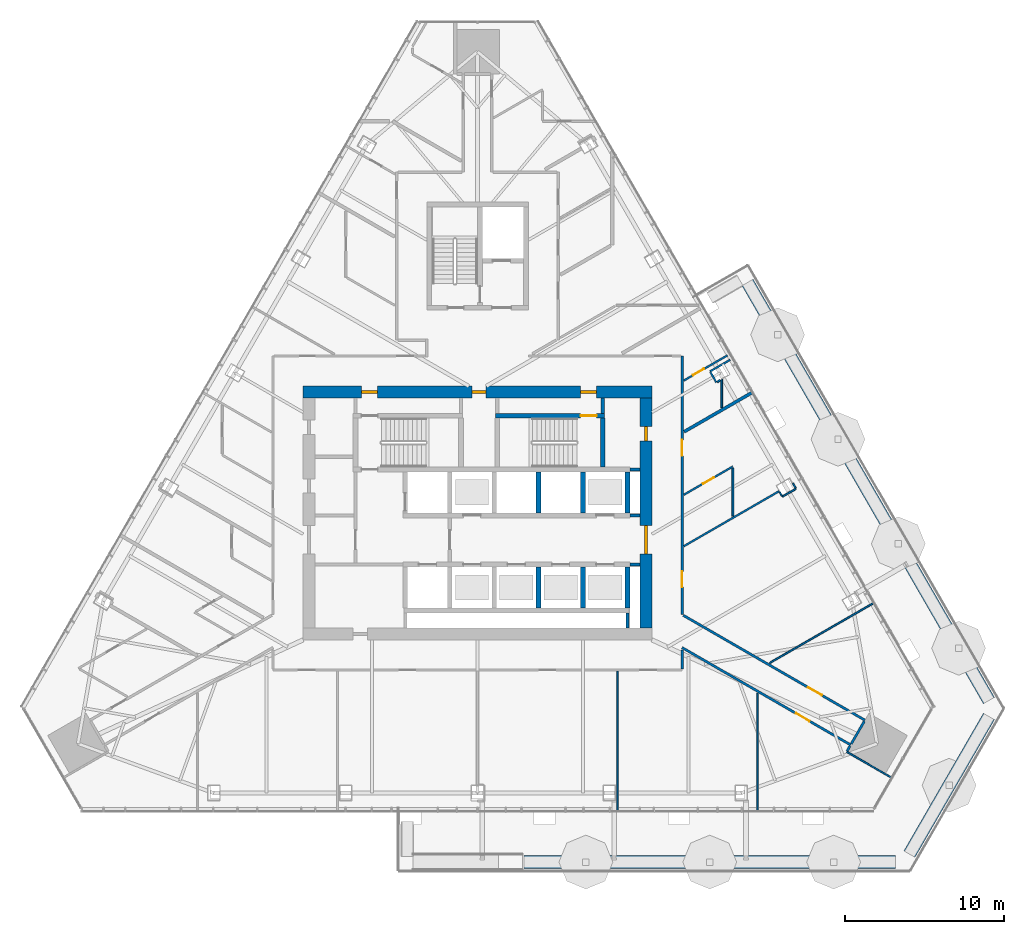
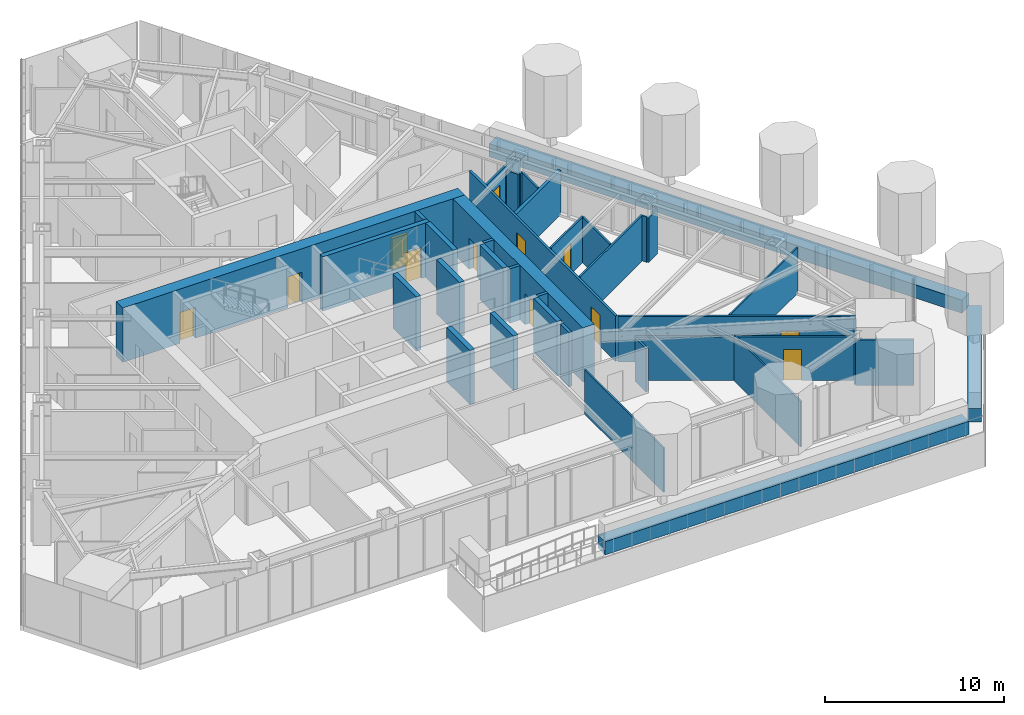
# One storey, part 13 of 18: 40 walls, 12 doors, 12 openings.
"""IFC4 building model written with IfcOpenShell, lengths in metres."""

from ifc_helpers import new_model, si_unit, direction, frame, frame_2d, origin, place, context, subcontext, project, spatial, rectangle, extrude, material, layer, layer_set, type_object, element, fill, save


model = new_model("IFC4")

# Units and contexts
model_context = context("Model", 3, precision=1e-05, world=origin(), true_north=direction((0.0, 1.0)))
body_context = subcontext(model_context, "Body", "Model", "MODEL_VIEW")
ifc_project = project(units=[si_unit("LENGTHUNIT", "METRE"), si_unit("AREAUNIT", "SQUARE_METRE"), si_unit("VOLUMEUNIT", "CUBIC_METRE"), si_unit("PLANEANGLEUNIT", "RADIAN"), si_unit("MASSUNIT", "GRAM", prefix="KILO")], contexts=[model_context])

# Site, building, storey
site_placement = place(None, origin())
site = spatial("IfcSite", under=ifc_project, at=site_placement, CompositionType="ELEMENT")
building_placement = place(site_placement, origin())
building = spatial("IfcBuilding", under=site, at=building_placement, Name="Firuza Gate Tower and Library", CompositionType="ELEMENT")
storey_placement = place(building_placement, frame((0.0, 0.0, 226.0)))
storey = spatial("IfcBuildingStorey", under=building, at=storey_placement, Name="L53", CompositionType="ELEMENT", Elevation=226.0)

# Walls
ifc_material_1 = material(Name="Plasterboard on steel studs", Category="steel")
ifc_layer_1 = layer(ifc_material_1, 0.199951171875)
ifc_layer_set_1 = layer_set([ifc_layer_1], Name="Core partition 200 EI 120")
wall_type_1 = type_object("IfcWallType", Name="Core partition 200 EI 120", PredefinedType="PARTITIONING", material=ifc_layer_set_1)
for number, where, z_axis, x_axis, name in (
    (1, (84.60009765625, 71.75, 0.0), (0.0, 0.0, 1.0), (1.0, 0.0, 0.0), "Core partition L53 2"),
    (2, (84.60009765625, 74.85009765625, 0.0), (0.0, 0.0, 1.0), (1.0, 0.0, 0.0), "Core partition L53 4"),
    (3, (84.60009765625, 77.75, 0.0), (0.0, 0.0, 1.0), (1.0, 0.0, 0.0), "Core partition L53 5"),
):
    element("IfcWall", number, at=place(storey_placement, frame(where, z_axis=z_axis, x_axis=x_axis)), inside=storey, type_object=wall_type_1, Name=name, PredefinedType="PARTITIONING", context=body_context, shape_type="SweptSolid", body=[
        extrude(rectangle(XDim=0.64990234375, YDim=0.199951171875, at=frame_2d((0.324951171875, 0.0))), origin(), (0.0, 0.0, 1.0), 3.699951171875),
    ])
wall_1_placement = place(storey_placement, frame((84.449951171875, 67.75, 0.0), z_axis=(0.0, 0.0, 1.0), x_axis=(0.0, 1.0, 0.0)))
element("IfcWall", 4, at=wall_1_placement, inside=storey, type_object=wall_type_1, Name="Core partition L53 14", PredefinedType="PARTITIONING", context=body_context, shape_type="SweptSolid", body=[
    extrude(rectangle(XDim=0.949951171875, YDim=0.199951171875, at=frame_2d((0.47509765625, 0.0))), origin(), (0.0, 0.0, 1.0), 3.699951171875),
])
ifc_material_2 = material(Name="Plasterboard on steel studs", Category="steel")
ifc_layer_2 = layer(ifc_material_2, 0.199951171875)
ifc_layer_set_2 = layer_set([ifc_layer_2], Name="Core partition 200 EI 60")
wall_type_2 = type_object("IfcWallType", Name="Core partition 200 EI 60", PredefinedType="PARTITIONING", material=ifc_layer_set_2)
wall_2_placement = place(storey_placement, frame((82.89990234375, 81.280029296875, 0.0), z_axis=(0.0, 0.0, 1.0), x_axis=(0.0, 1.0, 0.0)))
element("IfcWall", 5, at=wall_2_placement, inside=storey, type_object=wall_type_2, Name="Core partition L53 13", PredefinedType="PARTITIONING", context=body_context, shape_type="SweptSolid", body=[
    extrude(rectangle(XDim=0.969970703125, YDim=0.199951171875, at=frame_2d((0.48486328125, 0.0))), origin(), (0.0, 0.0, 1.0), 3.699951171875),
])
ifc_material_3 = material(Name="Concrete C80/95", Category="concrete")
ifc_layer_3 = layer(ifc_material_3, 0.300048828125)
ifc_layer_set_3 = layer_set([ifc_layer_3], Name="Core wall 300 C80/95")
wall_type_3 = type_object("IfcWallType", Name="Core wall 300 C80/95", PredefinedType="SHEAR", material=ifc_layer_set_3)
for number, where, z_axis, x_axis, name in (
    (6, (78.85009765625, 69.0, 0.0), (0.0, 0.0, 1.0), (0.0, 1.0, 0.0), "Core wall L53 14"),
    (7, (78.85009765625, 75.0, 0.0), (0.0, 0.0, 1.0), (0.0, 1.0, 0.0), "Core wall L53 15"),
    (8, (81.64990234375, 69.0, 0.0), (0.0, 0.0, 1.0), (0.0, 1.0, 0.0), "Core wall L53 16"),
    (9, (81.64990234375, 75.0, 0.0), (0.0, 0.0, 1.0), (0.0, 1.0, 0.0), "Core wall L53 17"),
    (10, (84.449951171875, 69.0, 0.0), (0.0, 0.0, 1.0), (0.0, 1.0, 0.0), "Core wall L53 18"),
    (11, (84.449951171875, 75.0, 0.0), (0.0, 0.0, 1.0), (0.0, 1.0, 0.0), "Core wall L53 19"),
):
    element("IfcWall", number, at=place(storey_placement, frame(where, z_axis=z_axis, x_axis=x_axis)), inside=storey, type_object=wall_type_3, Name=name, PredefinedType="SHEAR", context=body_context, shape_type="SweptSolid", body=[
        extrude(rectangle(XDim=2.60009765625, YDim=0.300048828125, at=frame_2d((1.300048828125, 0.0))), origin(), (0.0, 0.0, 1.0), 3.699951171875),
    ])

# Wall, opening, door
wall_3_placement = place(storey_placement, frame((76.139892578125, 81.1298828125, 0.0), z_axis=(0.0, 0.0, 1.0), x_axis=(1.0, 0.0, 0.0)))
wall_3 = element("IfcWall", 12, at=wall_3_placement, inside=storey, type_object=wall_type_3, Name="Core wall L53 22", PredefinedType="SHEAR", context=body_context, shape_type="SweptSolid", body=[
    extrude(rectangle(XDim=6.860107421875, YDim=0.300048828125, at=frame_2d((3.43017578125, 0.0))), origin(), (0.0, 0.0, 1.0), 3.699951171875),
])
opening_1_placement = place(wall_3_placement, frame((5.364990234375, 0.0, 0.0)))
opening_1 = element("IfcOpeningElement", 13, at=opening_1_placement, cuts=wall_3, Name="Opening L53-K13", PredefinedType="OPENING", context=body_context, shape_type="SweptSolid", body=[
    extrude(rectangle(XDim=1.0, YDim=2.10009765625, at=frame_2d((0.5, 1.050048828125))), frame((0.0, 0.16015625, 0.0), z_axis=(0.0, -1.0, 0.0), x_axis=(1.0, 0.0, 0.0)), (0.0, 0.0, 1.0), 0.320068359375),
])
ifc_material_4 = material(Name="Steel", Category="steel")
door_type_1 = type_object("IfcDoorType", Name="Fire door 1000x2100 FD90", OperationType="NOTDEFINED", PredefinedType="DOOR", material=ifc_material_4)
door_1_placement = place(opening_1_placement, origin())
door_1 = element("IfcDoor", 14, at=door_1_placement, inside=storey, type_object=door_type_1, Name="Door L53-K13", OperationType="SINGLE_SWING_RIGHT", OverallHeight=2.10009765625, OverallWidth=1.0, PredefinedType="DOOR", context=body_context, shape_type="SweptSolid", body=[
    extrude(rectangle(XDim=1.0, YDim=2.10009765625, at=frame_2d((0.5, 1.050048828125))), frame((0.0, 0.02490234375, 0.0), z_axis=(0.0, -1.0, 0.0), x_axis=(1.0, 0.0, 0.0)), (0.0, 0.0, 1.0), 0.050048828125),
])
fill(opening_1, door_1)

# Wall
wall_4_placement = place(storey_placement, frame((82.89990234375, 77.89990234375, 0.0), z_axis=(0.0, 0.0, 1.0), x_axis=(0.0, 1.0, 0.0)))
element("IfcWall", 15, at=wall_4_placement, inside=storey, type_object=wall_type_3, Name="Core wall L53 26", PredefinedType="SHEAR", context=body_context, shape_type="SweptSolid", body=[
    extrude(rectangle(XDim=3.080078125, YDim=0.300048828125, at=frame_2d((1.5400390625, 0.0))), origin(), (0.0, 0.0, 1.0), 3.699951171875),
])

# Wall, openings, doors
ifc_material_5 = material(Name="Concrete C80/95", Category="concrete")
ifc_layer_4 = layer(ifc_material_5, 0.75)
ifc_layer_set_4 = layer_set([ifc_layer_4], Name="Core wall 750 C80/95")
wall_type_4 = type_object("IfcWallType", Name="Core wall 750 C80/95", PredefinedType="SHEAR", material=ifc_layer_set_4)
wall_5_placement = place(storey_placement, frame((64.0, 82.625, 0.0), z_axis=(0.0, 0.0, 1.0), x_axis=(1.0, 0.0, 0.0)))
wall_5 = element("IfcWall", 16, at=wall_5_placement, inside=storey, type_object=wall_type_4, Name="Core wall L53 2", PredefinedType="SHEAR", context=body_context, shape_type="SweptSolid", body=[
    extrude(rectangle(XDim=22.0, YDim=0.75, at=frame_2d((11.0, 0.0))), origin(), (0.0, 0.0, 1.0), 3.699951171875),
])
opening_2_placement = place(wall_5_placement, frame((3.695068359375, 0.0, 0.0)))
opening_2 = element("IfcOpeningElement", 17, at=opening_2_placement, cuts=wall_5, Name="Opening L53-K12", PredefinedType="OPENING", context=body_context, shape_type="SweptSolid", body=[
    extrude(rectangle(XDim=1.0, YDim=2.10009765625, at=frame_2d((0.5, 1.050048828125))), frame((0.0, 0.385009765625, 0.0), z_axis=(0.0, -1.0, 0.0), x_axis=(1.0, 0.0, 0.0)), (0.0, 0.0, 1.0), 0.77001953125),
])
opening_3_placement = place(wall_5_placement, frame((17.5048828125, 0.0, 0.0)))
opening_3 = element("IfcOpeningElement", 18, at=opening_3_placement, cuts=wall_5, Name="Opening L53-K14", PredefinedType="OPENING", context=body_context, shape_type="SweptSolid", body=[
    extrude(rectangle(XDim=1.0, YDim=2.10009765625, at=frame_2d((0.5, 1.050048828125))), frame((0.0, 0.385009765625, 0.0), z_axis=(0.0, -1.0, 0.0), x_axis=(1.0, 0.0, 0.0)), (0.0, 0.0, 1.0), 0.77001953125),
])
opening_4_placement = place(wall_5_placement, frame((10.64990234375, 0.0, 0.0)))
opening_4 = element("IfcOpeningElement", 19, at=opening_4_placement, cuts=wall_5, Name="Opening L53-K25", PredefinedType="OPENING", context=body_context, shape_type="SweptSolid", body=[
    extrude(rectangle(XDim=0.89990234375, YDim=2.10009765625, at=frame_2d((0.449951171875, 1.050048828125))), frame((0.0, 0.385009765625, 0.0), z_axis=(0.0, -1.0, 0.0), x_axis=(1.0, 0.0, 0.0)), (0.0, 0.0, 1.0), 0.77001953125),
])
door_2_placement = place(opening_2_placement, origin())
door_2 = element("IfcDoor", 20, at=door_2_placement, inside=storey, type_object=door_type_1, Name="Door L53-K12", OperationType="SINGLE_SWING_LEFT", OverallHeight=2.10009765625, OverallWidth=1.0, PredefinedType="DOOR", context=body_context, shape_type="SweptSolid", body=[
    extrude(rectangle(XDim=1.0, YDim=2.10009765625, at=frame_2d((0.5, 1.050048828125))), frame((0.0, 0.094970703125, 0.0), z_axis=(0.0, -1.0, 0.0), x_axis=(1.0, 0.0, 0.0)), (0.0, 0.0, 1.0), 0.18994140625),
])
fill(opening_2, door_2)
door_3_placement = place(opening_3_placement, origin())
door_3 = element("IfcDoor", 21, at=door_3_placement, inside=storey, type_object=door_type_1, Name="Door L53-K14", OperationType="SINGLE_SWING_LEFT", OverallHeight=2.10009765625, OverallWidth=1.0, PredefinedType="DOOR", context=body_context, shape_type="SweptSolid", body=[
    extrude(rectangle(XDim=1.0, YDim=2.10009765625, at=frame_2d((0.5, 1.050048828125))), frame((0.0, 0.094970703125, 0.0), z_axis=(0.0, -1.0, 0.0), x_axis=(1.0, 0.0, 0.0)), (0.0, 0.0, 1.0), 0.18994140625),
])
fill(opening_3, door_3)
ifc_material_6 = material(Name="Steel", Category="steel")
door_type_2 = type_object("IfcDoorType", Name="Fire door 900x2100 FD30S", OperationType="NOTDEFINED", PredefinedType="DOOR", material=ifc_material_6)
door_4_placement = place(opening_4_placement, origin())
door_4 = element("IfcDoor", 22, at=door_4_placement, inside=storey, type_object=door_type_2, Name="Door L53-K25", OperationType="SINGLE_SWING_RIGHT", OverallHeight=2.10009765625, OverallWidth=0.89990234375, PredefinedType="DOOR", context=body_context, shape_type="SweptSolid", body=[
    extrude(rectangle(XDim=0.89990234375, YDim=2.10009765625, at=frame_2d((0.449951171875, 1.050048828125))), frame((0.0, 0.094970703125, 0.0), z_axis=(0.0, -1.0, 0.0), x_axis=(1.0, 0.0, 0.0)), (0.0, 0.0, 1.0), 0.18994140625),
])
fill(opening_4, door_4)

wall_6_placement = place(storey_placement, frame((85.625, 67.75, 0.0), z_axis=(0.0, 0.0, 1.0), x_axis=(0.0, 1.0, 0.0)))
wall_6 = element("IfcWall", 23, at=wall_6_placement, inside=storey, type_object=wall_type_4, Name="Core wall L53 4", PredefinedType="SHEAR", context=body_context, shape_type="SweptSolid", body=[
    extrude(rectangle(XDim=14.5, YDim=0.75, at=frame_2d((7.25, 0.0))), origin(), (0.0, 0.0, 1.0), 3.699951171875),
])
opening_5_placement = place(wall_6_placement, frame((4.64990234375, 0.0, 0.0)))
opening_5 = element("IfcOpeningElement", 24, at=opening_5_placement, cuts=wall_6, Name="Opening L53-K21", PredefinedType="OPENING", context=body_context, shape_type="SweptSolid", body=[
    extrude(rectangle(XDim=1.800048828125, YDim=2.10009765625, at=frame_2d((0.89990234375, 1.050048828125))), frame((0.0, 0.385009765625, 0.0), z_axis=(0.0, -1.0, 0.0), x_axis=(1.0, 0.0, 0.0)), (0.0, 0.0, 1.0), 0.77001953125),
])
opening_6_placement = place(wall_6_placement, frame((11.800048828125, 0.0, 0.0)))
opening_6 = element("IfcOpeningElement", 25, at=opening_6_placement, cuts=wall_6, Name="Opening L53-K26", PredefinedType="OPENING", context=body_context, shape_type="SweptSolid", body=[
    extrude(rectangle(XDim=0.89990234375, YDim=2.10009765625, at=frame_2d((0.449951171875, 1.050048828125))), frame((0.0, 0.385009765625, 0.0), z_axis=(0.0, -1.0, 0.0), x_axis=(1.0, 0.0, 0.0)), (0.0, 0.0, 1.0), 0.77001953125),
])
ifc_material_7 = material(Name="Steel", Category="steel")
door_type_3 = type_object("IfcDoorType", Name="Fire door 1800x2100 FD30S", OperationType="NOTDEFINED", PredefinedType="DOOR", material=ifc_material_7)
door_5_placement = place(opening_5_placement, origin())
door_5 = element("IfcDoor", 26, at=door_5_placement, inside=storey, type_object=door_type_3, Name="Door L53-K21", OperationType="SINGLE_SWING_RIGHT", OverallHeight=2.10009765625, OverallWidth=1.800048828125, PredefinedType="DOOR", context=body_context, shape_type="SweptSolid", body=[
    extrude(rectangle(XDim=1.800048828125, YDim=2.10009765625, at=frame_2d((0.89990234375, 1.050048828125))), frame((0.0, 0.094970703125, 0.0), z_axis=(0.0, -1.0, 0.0), x_axis=(1.0, 0.0, 0.0)), (0.0, 0.0, 1.0), 0.18994140625),
])
fill(opening_5, door_5)
door_6_placement = place(opening_6_placement, origin())
door_6 = element("IfcDoor", 27, at=door_6_placement, inside=storey, type_object=door_type_2, Name="Door L53-K26", OperationType="SINGLE_SWING_LEFT", OverallHeight=2.10009765625, OverallWidth=0.89990234375, PredefinedType="DOOR", context=body_context, shape_type="SweptSolid", body=[
    extrude(rectangle(XDim=0.89990234375, YDim=2.10009765625, at=frame_2d((0.449951171875, 1.050048828125))), frame((0.0, 0.094970703125, 0.0), z_axis=(0.0, -1.0, 0.0), x_axis=(1.0, 0.0, 0.0)), (0.0, 0.0, 1.0), 0.18994140625),
])
fill(opening_6, door_6)

# Walls
ifc_material_8 = material(Name="Gypsum board partition")
ifc_layer_5 = layer(ifc_material_8, 0.14990234375)
ifc_layer_set_5 = layer_set([ifc_layer_5], Name="Corridor wall 150 double board on steel studs")
wall_type_5 = type_object("IfcWallType", Name="Corridor wall 150 double board on steel studs", PredefinedType="PARTITIONING", material=ifc_layer_set_5)
wall_7_placement = place(storey_placement, frame((98.306396484375, 59.98583984375, 0.0), z_axis=(0.0, 0.0, 1.0), x_axis=(0.500136362069, 0.865946660792, 0.0)))
element("IfcWall", 28, at=wall_7_placement, inside=storey, type_object=wall_type_5, Name="f:L53:w033", PredefinedType="PARTITIONING", context=body_context, shape_type="SweptSolid", body=[
    extrude(rectangle(XDim=0.37451171875, YDim=0.14990234375, at=frame_2d((0.187255859375, 0.0))), origin(), (0.0, 0.0, 1.0), 3.10009765625),
])
wall_8_placement = place(storey_placement, frame((87.89990234375, 65.175537109375, 0.0), z_axis=(0.0, 0.0, 1.0), x_axis=(0.0, 1.0, 0.0)))
element("IfcWall", 29, at=wall_8_placement, inside=storey, type_object=wall_type_5, Name="f:L53:w041", PredefinedType="PARTITIONING", context=body_context, shape_type="SweptSolid", body=[
    extrude(rectangle(XDim=1.20068359375, YDim=0.14990234375, at=frame_2d((0.600341796875, 0.0))), origin(), (0.0, 0.0, 1.0), 2.947021484375),
])

# Wall, openings, doors
wall_9_placement = place(storey_placement, frame((87.89990234375, 84.8994140625, 0.0), z_axis=(0.0, 0.0, 1.0), x_axis=(0.0, -1.0, 0.0)))
wall_9 = element("IfcWall", 30, at=wall_9_placement, inside=storey, type_object=wall_type_5, Name="f:L53:w042", PredefinedType="PARTITIONING", context=body_context, shape_type="SweptSolid", body=[
    extrude(rectangle(XDim=16.30810546875, YDim=0.14990234375, at=frame_2d((8.154052734375, 0.0))), origin(), (0.0, 0.0, 1.0), 3.10009765625),
])
opening_7_placement = place(wall_9_placement, frame((5.29443359375, 0.0, 0.0)))
opening_7 = element("IfcOpeningElement", 31, at=opening_7_placement, cuts=wall_9, Name="Opening L53-17", PredefinedType="OPENING", context=body_context, shape_type="SweptSolid", body=[
    extrude(rectangle(XDim=1.0, YDim=2.10009765625, at=frame_2d((0.5, 1.050048828125))), frame((0.0, 0.0849609375, 0.0), z_axis=(0.0, -1.0, 0.0), x_axis=(1.0, 0.0, 0.0)), (0.0, 0.0, 1.0), 0.169921875),
])
opening_8_placement = place(wall_9_placement, frame((13.580322265625, 0.0, 0.0)))
opening_8 = element("IfcOpeningElement", 32, at=opening_8_placement, cuts=wall_9, Name="Opening L53-18", PredefinedType="OPENING", context=body_context, shape_type="SweptSolid", body=[
    extrude(rectangle(XDim=1.0, YDim=2.10009765625, at=frame_2d((0.5, 1.050048828125))), frame((0.0, 0.0849609375, 0.0), z_axis=(0.0, -1.0, 0.0), x_axis=(1.0, 0.0, 0.0)), (0.0, 0.0, 1.0), 0.169921875),
])
ifc_material_9 = material(Name="Steel door and timber leaf", Category="steel")
door_type_4 = type_object("IfcDoorType", Name="Fire door 1000 x 2100 steel frame, timber leaf", OperationType="NOTDEFINED", PredefinedType="DOOR", material=ifc_material_9)
door_7_placement = place(opening_7_placement, origin())
door_7 = element("IfcDoor", 33, at=door_7_placement, inside=storey, type_object=door_type_4, Name="f:L53:d017", OperationType="SINGLE_SWING_RIGHT", OverallHeight=2.10009765625, OverallWidth=1.0, PredefinedType="DOOR", context=body_context, shape_type="SweptSolid", body=[
    extrude(rectangle(XDim=1.0, YDim=2.10009765625, at=frame_2d((0.5, 1.050048828125))), frame((0.0, 0.02490234375, 0.0), z_axis=(0.0, -1.0, 0.0), x_axis=(1.0, 0.0, 0.0)), (0.0, 0.0, 1.0), 0.050048828125),
])
fill(opening_7, door_7)
door_8_placement = place(opening_8_placement, origin())
door_8 = element("IfcDoor", 34, at=door_8_placement, inside=storey, type_object=door_type_4, Name="f:L53:d018", OperationType="SINGLE_SWING_LEFT", OverallHeight=2.10009765625, OverallWidth=1.0, PredefinedType="DOOR", context=body_context, shape_type="SweptSolid", body=[
    extrude(rectangle(XDim=1.0, YDim=2.10009765625, at=frame_2d((0.5, 1.050048828125))), frame((0.0, 0.02490234375, 0.0), z_axis=(0.0, -1.0, 0.0), x_axis=(1.0, 0.0, 0.0)), (0.0, 0.0, 1.0), 0.050048828125),
])
fill(opening_8, door_8)

# Wall, opening, door
wall_10_placement = place(storey_placement, frame((87.97509765625, 68.548095703125, 0.0), z_axis=(0.0, 0.0, 1.0), x_axis=(0.866030071145, -0.499991915808, 0.0)))
wall_10 = element("IfcWall", 35, at=wall_10_placement, inside=storey, type_object=wall_type_5, Name="f:L53:w073", PredefinedType="PARTITIONING", context=body_context, shape_type="SweptSolid", body=[
    extrude(rectangle(XDim=13.228271484375, YDim=0.14990234375, at=frame_2d((6.6142578125, 0.0))), origin(), (0.0, 0.0, 1.0), 3.10009765625),
])
opening_9_placement = place(wall_10_placement, frame((9.090087890625, 0.0, 0.0)))
opening_9 = element("IfcOpeningElement", 36, at=opening_9_placement, cuts=wall_10, Name="Opening L53-32", PredefinedType="OPENING", context=body_context, shape_type="SweptSolid", body=[
    extrude(rectangle(XDim=1.0, YDim=2.10009765625, at=frame_2d((0.5, 1.050048828125))), frame((0.0, 0.0849609375, 0.0), z_axis=(0.0, -1.0, 0.0), x_axis=(1.0, 0.0, 0.0)), (0.0, 0.0, 1.0), 0.169921875),
])
door_9_placement = place(opening_9_placement, origin())
door_9 = element("IfcDoor", 37, at=door_9_placement, inside=storey, type_object=door_type_4, Name="f:L53:d032", OperationType="SINGLE_SWING_RIGHT", OverallHeight=2.10009765625, OverallWidth=1.0, PredefinedType="DOOR", context=body_context, shape_type="SweptSolid", body=[
    extrude(rectangle(XDim=1.0, YDim=2.10009765625, at=frame_2d((0.5, 1.050048828125))), frame((0.0, 0.02490234375, 0.0), z_axis=(0.0, -1.0, 0.0), x_axis=(1.0, 0.0, 0.0)), (0.0, 0.0, 1.0), 0.050048828125),
])
fill(opening_9, door_9)

wall_11_placement = place(storey_placement, frame((98.531494140625, 60.375, 0.0), z_axis=(0.0, 0.0, 1.0), x_axis=(-0.866027942666, 0.499995602502, 0.0)))
wall_11 = element("IfcWall", 38, at=wall_11_placement, inside=storey, type_object=wall_type_5, Name="f:L53:w074", PredefinedType="PARTITIONING", context=body_context, shape_type="SweptSolid", body=[
    extrude(rectangle(XDim=12.27587890625, YDim=0.14990234375, at=frame_2d((6.137939453125, 0.0))), origin(), (0.0, 0.0, 1.0), 2.947021484375),
])
opening_10_placement = place(wall_11_placement, frame((2.990234375, 0.0, 0.0)))
opening_10 = element("IfcOpeningElement", 39, at=opening_10_placement, cuts=wall_11, Name="Opening L53-33", PredefinedType="OPENING", context=body_context, shape_type="SweptSolid", body=[
    extrude(rectangle(XDim=1.0, YDim=2.10009765625, at=frame_2d((0.5, 1.050048828125))), frame((0.0, 0.0849609375, 0.0), z_axis=(0.0, -1.0, 0.0), x_axis=(1.0, 0.0, 0.0)), (0.0, 0.0, 1.0), 0.169921875),
])
door_10_placement = place(opening_10_placement, origin())
door_10 = element("IfcDoor", 40, at=door_10_placement, inside=storey, type_object=door_type_4, Name="f:L53:d033", OperationType="SINGLE_SWING_RIGHT", OverallHeight=2.10009765625, OverallWidth=1.0, PredefinedType="DOOR", context=body_context, shape_type="SweptSolid", body=[
    extrude(rectangle(XDim=1.0, YDim=2.10009765625, at=frame_2d((0.5, 1.050048828125))), frame((0.0, 0.02490234375, 0.0), z_axis=(0.0, -1.0, 0.0), x_axis=(1.0, 0.0, 0.0)), (0.0, 0.0, 1.0), 0.050048828125),
])
fill(opening_10, door_10)

# Walls
wall_12_placement = place(storey_placement, frame((98.56884765625, 60.440185546875, 0.0), z_axis=(0.0, 0.0, 1.0), x_axis=(0.500055614084, 0.865993292597, 0.0)))
element("IfcWall", 41, at=wall_12_placement, inside=storey, type_object=wall_type_5, Name="f:L53:w088", PredefinedType="PARTITIONING", context=body_context, shape_type="SweptSolid", body=[
    extrude(rectangle(XDim=1.649169921875, YDim=0.14990234375, at=frame_2d((0.82470703125, 0.0))), origin(), (0.0, 0.0, 1.0), 2.947021484375),
])
ifc_material_10 = material(Name="Gypsum board partition")
ifc_layer_6 = layer(ifc_material_10, 0.199951171875)
ifc_layer_set_6 = layer_set([ifc_layer_6], Name="Demising wall 200 acoustic double stud")
wall_type_6 = type_object("IfcWallType", Name="Demising wall 200 acoustic double stud", PredefinedType="PARTITIONING", material=ifc_layer_set_6)
wall_13_placement = place(storey_placement, frame((88.026611328125, 80.120361328125, 0.0), z_axis=(0.0, 0.0, 1.0), x_axis=(0.866024509183, 0.500001549491, 0.0)))
element("IfcWall", 42, at=wall_13_placement, inside=storey, type_object=wall_type_6, Name="f:L53:w016", PredefinedType="PARTITIONING", context=body_context, shape_type="SweptSolid", body=[
    extrude(rectangle(XDim=4.921875, YDim=0.199951171875, at=frame_2d((2.4609375, 0.0))), origin(), (0.0, 0.0, 1.0), 3.02197265625),
])
ifc_material_11 = material(Name="Gypsum board partition")
ifc_layer_7 = layer(ifc_material_11, 0.10009765625)
ifc_layer_set_7 = layer_set([ifc_layer_7], Name="Partition 100 gypsum board on steel studs")
wall_type_7 = type_object("IfcWallType", Name="Partition 100 gypsum board on steel studs", PredefinedType="PARTITIONING", material=ifc_layer_set_7)
wall_14_placement = place(storey_placement, frame((93.406005859375, 65.529296875, 0.0), z_axis=(0.0, 0.0, 1.0), x_axis=(0.866032295486, 0.499988063033, 0.0)))
element("IfcWall", 43, at=wall_14_placement, inside=storey, type_object=wall_type_7, Name="f:L53:w012", PredefinedType="PARTITIONING", context=body_context, shape_type="SweptSolid", body=[
    extrude(rectangle(XDim=7.558837890625, YDim=0.10009765625, at=frame_2d((3.779296875, 0.0))), origin(), (0.0, 0.0, 1.0), 3.10009765625),
])
wall_15_placement = place(storey_placement, frame((94.223388671875, 76.031982421875, 0.0), z_axis=(0.0, 0.0, 1.0), x_axis=(0.86597798544, 0.50008212199, 0.0)))
element("IfcWall", 44, at=wall_15_placement, inside=storey, type_object=wall_type_7, Name="f:L53:w013", PredefinedType="PARTITIONING", context=body_context, shape_type="SweptSolid", body=[
    extrude(rectangle(XDim=0.998779296875, YDim=0.10009765625, at=frame_2d((0.49951171875, 0.0))), origin(), (0.0, 0.0, 1.0), 3.02197265625),
])
wall_16_placement = place(storey_placement, frame((92.662109375, 56.236572265625, 0.0), z_axis=(0.0, 0.0, 1.0), x_axis=(0.0, 1.0, 0.0)))
element("IfcWall", 45, at=wall_16_placement, inside=storey, type_object=wall_type_7, Name="f:L53:w038", PredefinedType="PARTITIONING", context=body_context, shape_type="SweptSolid", body=[
    extrude(rectangle(XDim=7.410400390625, YDim=0.10009765625, at=frame_2d((3.705078125, 0.0))), origin(), (0.0, 0.0, 1.0), 3.10009765625),
])
wall_17_placement = place(storey_placement, frame((83.8310546875, 56.236572265625, 0.0), z_axis=(0.0, 0.0, 1.0), x_axis=(0.0, 1.0, 0.0)))
element("IfcWall", 46, at=wall_17_placement, inside=storey, type_object=wall_type_7, Name="f:L53:w043", PredefinedType="PARTITIONING", context=body_context, shape_type="SweptSolid", body=[
    extrude(rectangle(XDim=8.788330078125, YDim=0.10009765625, at=frame_2d((4.39404296875, 0.0))), origin(), (0.0, 0.0, 1.0), 3.02197265625),
])
wall_18_placement = place(storey_placement, frame((95.063232421875, 76.57568359375, 0.0), z_axis=(0.0, 0.0, 1.0), x_axis=(-0.500126092966, 0.865952591736, 0.0)))
element("IfcWall", 47, at=wall_18_placement, inside=storey, type_object=wall_type_7, Name="f:L53:w062", PredefinedType="PARTITIONING", context=body_context, shape_type="SweptSolid", body=[
    extrude(rectangle(XDim=0.34912109375, YDim=0.10009765625, at=frame_2d((0.174560546875, 0.0))), origin(), (0.0, 0.0, 1.0), 3.10009765625),
])
wall_19_placement = place(storey_placement, frame((94.197265625, 76.07568359375, 0.0), z_axis=(0.0, 0.0, 1.0), x_axis=(-0.500136839105, 0.865946385275, 0.0)))
element("IfcWall", 48, at=wall_19_placement, inside=storey, type_object=wall_type_7, Name="f:L53:w064", PredefinedType="PARTITIONING", context=body_context, shape_type="SweptSolid", body=[
    extrude(rectangle(XDim=0.2890625, YDim=0.10009765625, at=frame_2d((0.14453125, 0.0))), origin(), (0.0, 0.0, 1.0), 3.10009765625),
])
wall_20_placement = place(storey_placement, frame((101.104736328125, 58.31201171875, 0.0), z_axis=(0.0, 0.0, 1.0), x_axis=(-0.866035906198, 0.499981808845, 0.0)))
element("IfcWall", 49, at=wall_20_placement, inside=storey, type_object=wall_type_7, Name="f:L53:w075", PredefinedType="PARTITIONING", context=body_context, shape_type="SweptSolid", body=[
    extrude(rectangle(XDim=3.25927734375, YDim=0.10009765625, at=frame_2d((1.629638671875, 0.0))), origin(), (0.0, 0.0, 1.0), 3.10009765625),
])
ifc_material_12 = material(Name="Concrete C40/50", Category="concrete")
ifc_layer_8 = layer(ifc_material_12, 0.800048828125)
ifc_layer_set_8 = layer_set([ifc_layer_8], Name="Planter wall 800")
wall_type_8 = type_object("IfcWallType", Name="Planter wall 800", PredefinedType="SOLIDWALL", material=ifc_layer_set_8)
wall_21_placement = place(storey_placement, frame((77.926025390625, 52.986572265625, 0.0), z_axis=(0.0, 0.0, 1.0), x_axis=(1.0, 0.0, 0.0)))
element("IfcWall", 50, at=wall_21_placement, inside=storey, type_object=wall_type_8, Name="PLANTER L53 2", PredefinedType="SOLIDWALL", context=body_context, shape_type="SweptSolid", body=[
    extrude(rectangle(XDim=23.43603515625, YDim=0.800048828125, at=frame_2d((11.718017578125, 0.0))), origin(), (0.0, 0.0, 1.0), 0.89990234375),
])
wall_22_placement = place(storey_placement, frame((102.23583984375, 53.490966796875, 0.0), z_axis=(0.0, 0.0, 1.0), x_axis=(0.50001002959, 0.86601961312, 0.0)))
element("IfcWall", 51, at=wall_22_placement, inside=storey, type_object=wall_type_8, Name="PLANTER L53 3", PredefinedType="SOLIDWALL", context=body_context, shape_type="SweptSolid", body=[
    extrude(rectangle(XDim=10.018798828125, YDim=0.800048828125, at=frame_2d((5.00927734375, 0.0))), origin(), (0.0, 0.0, 1.0), 0.89990234375),
])
wall_23_placement = place(storey_placement, frame((107.245361328125, 63.17626953125, 0.0), z_axis=(0.0, 0.0, 1.0), x_axis=(-0.500002275173, 0.866024090209, 0.0)))
element("IfcWall", 52, at=wall_23_placement, inside=storey, type_object=wall_type_8, Name="PLANTER L53 4", PredefinedType="SOLIDWALL", context=body_context, shape_type="SweptSolid", body=[
    extrude(rectangle(XDim=30.436279296875, YDim=0.800048828125, at=frame_2d((15.21826171875, 0.0))), origin(), (0.0, 0.0, 1.0), 0.89990234375),
])
ifc_material_13 = material(Name="Gypsum board partition")
ifc_layer_9 = layer(ifc_material_13, 0.1201171875)
ifc_layer_set_9 = layer_set([ifc_layer_9], Name="Wet-area partition 120 moisture-resistant board")
wall_type_9 = type_object("IfcWallType", Name="Wet-area partition 120 moisture-resistant board", PredefinedType="PARTITIONING", material=ifc_layer_set_9)
wall_24_placement = place(storey_placement, frame((88.009765625, 72.906494140625, 0.0), z_axis=(0.0, 0.0, 1.0), x_axis=(0.866025136247, 0.500000463387, 0.0)))
element("IfcWall", 53, at=wall_24_placement, inside=storey, type_object=wall_type_9, Name="f:L53:w014", PredefinedType="PARTITIONING", context=body_context, shape_type="SweptSolid", body=[
    extrude(rectangle(XDim=6.94287109375, YDim=0.1201171875, at=frame_2d((3.471435546875, 0.0))), origin(), (0.0, 0.0, 1.0), 3.10009765625),
])

# Wall, opening, door
wall_25_placement = place(storey_placement, frame((91.099853515625, 77.932861328125, 0.0), z_axis=(0.0, 0.0, 1.0), x_axis=(-0.866045460162, -0.499965259726, 0.0)))
wall_25 = element("IfcWall", 54, at=wall_25_placement, inside=storey, type_object=wall_type_9, Name="f:L53:w015", PredefinedType="PARTITIONING", context=body_context, shape_type="SweptSolid", body=[
    extrude(rectangle(XDim=3.568603515625, YDim=0.1201171875, at=frame_2d((1.7841796875, 0.0))), origin(), (0.0, 0.0, 1.0), 3.10009765625),
])
opening_11_placement = place(wall_25_placement, frame((1.38427734375, 0.0, 0.0)))
opening_11 = element("IfcOpeningElement", 55, at=opening_11_placement, cuts=wall_25, Name="Opening L53-10", PredefinedType="OPENING", context=body_context, shape_type="SweptSolid", body=[
    extrude(rectangle(XDim=0.800048828125, YDim=2.10009765625, at=frame_2d((0.39990234375, 1.050048828125))), frame((0.0, 0.070068359375, 0.0), z_axis=(0.0, -1.0, 0.0), x_axis=(1.0, 0.0, 0.0)), (0.0, 0.0, 1.0), 0.14013671875),
])
ifc_material_14 = material(Name="Timber door", Category="wood")
door_type_5 = type_object("IfcDoorType", Name="Door 800 x 2100 timber leaf", OperationType="NOTDEFINED", PredefinedType="DOOR", material=ifc_material_14)
door_11_placement = place(opening_11_placement, origin())
door_11 = element("IfcDoor", 56, at=door_11_placement, inside=storey, type_object=door_type_5, Name="f:L53:d010", OperationType="SINGLE_SWING_LEFT", OverallHeight=2.10009765625, OverallWidth=0.800048828125, PredefinedType="DOOR", context=body_context, shape_type="SweptSolid", body=[
    extrude(rectangle(XDim=0.800048828125, YDim=2.10009765625, at=frame_2d((0.39990234375, 1.050048828125))), frame((0.0, 0.02490234375, 0.0), z_axis=(0.0, -1.0, 0.0), x_axis=(1.0, 0.0, 0.0)), (0.0, 0.0, 1.0), 0.050048828125),
])
fill(opening_11, door_11)

# Walls
wall_26_placement = place(storey_placement, frame((90.115966796875, 83.265380859375, 0.0), z_axis=(0.0, 0.0, 1.0), x_axis=(0.866036909293, 0.499980071345, 0.0)))
element("IfcWall", 57, at=wall_26_placement, inside=storey, type_object=wall_type_9, Name="f:L53:w019", PredefinedType="PARTITIONING", context=body_context, shape_type="SweptSolid", body=[
    extrude(rectangle(XDim=0.21875, YDim=0.1201171875, at=frame_2d((0.109375, 0.0))), origin(), (0.0, 0.0, 1.0), 3.10009765625),
])
wall_27_placement = place(storey_placement, frame((89.663818359375, 83.92822265625, 0.0), z_axis=(0.0, 0.0, 1.0), x_axis=(0.866032430508, 0.49998782916, 0.0)))
element("IfcWall", 58, at=wall_27_placement, inside=storey, type_object=wall_type_9, Name="f:L53:w020", PredefinedType="PARTITIONING", context=body_context, shape_type="SweptSolid", body=[
    extrude(rectangle(XDim=1.4599609375, YDim=0.1201171875, at=frame_2d((0.72998046875, 0.0))), origin(), (0.0, 0.0, 1.0), 3.02197265625),
])

# Wall, opening, door
wall_28_placement = place(storey_placement, frame((90.764404296875, 84.942138671875, 0.0), z_axis=(0.0, 0.0, 1.0), x_axis=(-0.866052668871, -0.499952772512, 0.0)))
wall_28 = element("IfcWall", 59, at=wall_28_placement, inside=storey, type_object=wall_type_9, Name="f:L53:w021", PredefinedType="PARTITIONING", context=body_context, shape_type="SweptSolid", body=[
    extrude(rectangle(XDim=3.180908203125, YDim=0.1201171875, at=frame_2d((1.59033203125, 0.0))), origin(), (0.0, 0.0, 1.0), 3.02197265625),
])
opening_12_placement = place(wall_28_placement, frame((1.700927734375, 0.0, 0.0)))
opening_12 = element("IfcOpeningElement", 60, at=opening_12_placement, cuts=wall_28, Name="Opening L53-12", PredefinedType="OPENING", context=body_context, shape_type="SweptSolid", body=[
    extrude(rectangle(XDim=0.800048828125, YDim=2.10009765625, at=frame_2d((0.39990234375, 1.050048828125))), frame((0.0, 0.070068359375, 0.0), z_axis=(0.0, -1.0, 0.0), x_axis=(1.0, 0.0, 0.0)), (0.0, 0.0, 1.0), 0.14013671875),
])
door_12_placement = place(opening_12_placement, origin())
door_12 = element("IfcDoor", 61, at=door_12_placement, inside=storey, type_object=door_type_5, Name="f:L53:d012", OperationType="SINGLE_SWING_LEFT", OverallHeight=2.10009765625, OverallWidth=0.800048828125, PredefinedType="DOOR", context=body_context, shape_type="SweptSolid", body=[
    extrude(rectangle(XDim=0.800048828125, YDim=2.10009765625, at=frame_2d((0.39990234375, 1.050048828125))), frame((0.0, 0.02490234375, 0.0), z_axis=(0.0, -1.0, 0.0), x_axis=(1.0, 0.0, 0.0)), (0.0, 0.0, 1.0), 0.050048828125),
])
fill(opening_12, door_12)

# Walls
wall_29_placement = place(storey_placement, frame((91.10009765625, 74.80029296875, 0.0), z_axis=(0.0, 0.0, 1.0), x_axis=(0.0, 1.0, 0.0)))
element("IfcWall", 62, at=wall_29_placement, inside=storey, type_object=wall_type_9, Name="f:L53:w039", PredefinedType="PARTITIONING", context=body_context, shape_type="SweptSolid", body=[
    extrude(rectangle(XDim=3.02294921875, YDim=0.1201171875, at=frame_2d((1.511474609375, 0.0))), origin(), (0.0, 0.0, 1.0), 3.10009765625),
])
wall_30_placement = place(storey_placement, frame((90.39990234375, 81.6455078125, 0.0), z_axis=(0.0, 0.0, 1.0), x_axis=(0.0, 1.0, 0.0)))
element("IfcWall", 63, at=wall_30_placement, inside=storey, type_object=wall_type_9, Name="f:L53:w040", PredefinedType="PARTITIONING", context=body_context, shape_type="SweptSolid", body=[
    extrude(rectangle(XDim=1.78369140625, YDim=0.1201171875, at=frame_2d((0.891845703125, 0.0))), origin(), (0.0, 0.0, 1.0), 3.02197265625),
])
wall_31_placement = place(storey_placement, frame((90.063720703125, 83.235107421875, 0.0), z_axis=(0.0, 0.0, 1.0), x_axis=(-0.500112705049, 0.865960323715, 0.0)))
element("IfcWall", 64, at=wall_31_placement, inside=storey, type_object=wall_type_9, Name="f:L53:w065", PredefinedType="PARTITIONING", context=body_context, shape_type="SweptSolid", body=[
    extrude(rectangle(XDim=0.739990234375, YDim=0.1201171875, at=frame_2d((0.3701171875, 0.0))), origin(), (0.0, 0.0, 1.0), 3.10009765625),
])

save(model, "model.ifc")
